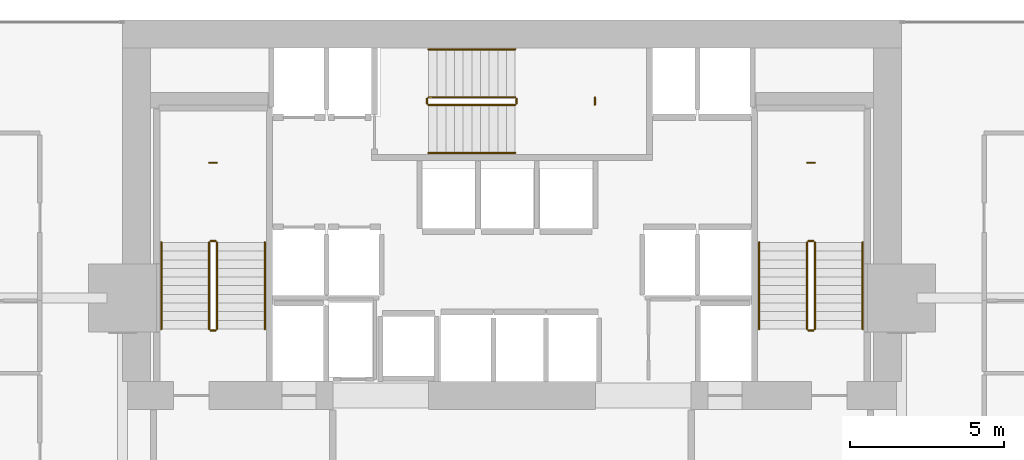
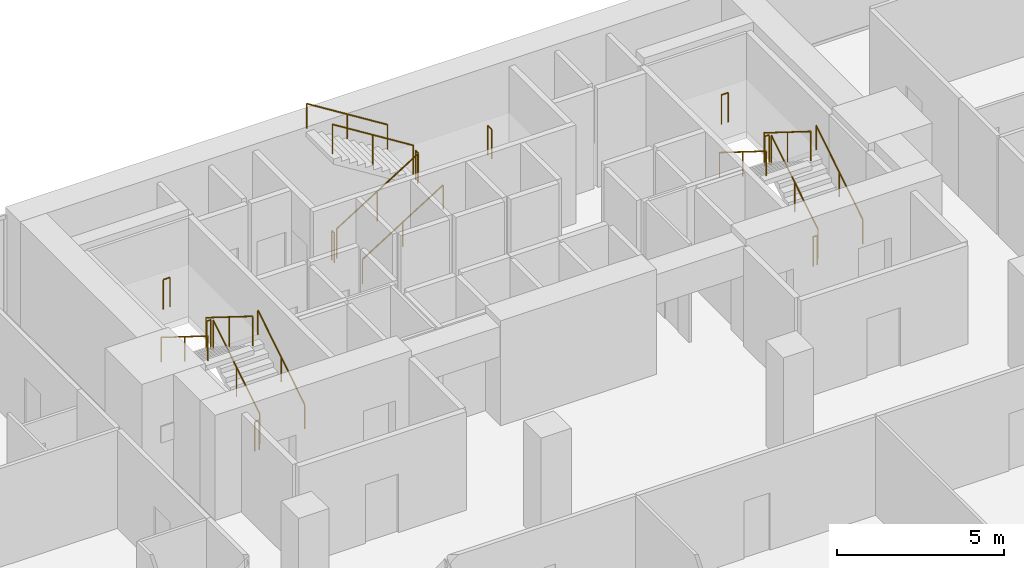
# One storey, part 40 of 40: 21 railings.
"""IFC4 building model written with IfcOpenShell, lengths in metres."""

from ifc_helpers import new_model, si_unit, direction, frame, origin, origin_2d, place, context, subcontext, project, spatial, circle, extrude, material, type_object, element, save


model = new_model("IFC4")

# Units and contexts
model_context = context("Model", 3, precision=1e-05, world=origin(), true_north=direction((0.0, 1.0)))
body_context = subcontext(model_context, "Body", "Model", "MODEL_VIEW")
ifc_project = project(units=[si_unit("LENGTHUNIT", "METRE"), si_unit("AREAUNIT", "SQUARE_METRE"), si_unit("VOLUMEUNIT", "CUBIC_METRE"), si_unit("PLANEANGLEUNIT", "RADIAN"), si_unit("MASSUNIT", "GRAM", prefix="KILO")], contexts=[model_context])

# Site, building, storey
site_placement = place(None, origin())
site = spatial("IfcSite", under=ifc_project, at=site_placement, CompositionType="ELEMENT")
building_placement = place(site_placement, origin())
building = spatial("IfcBuilding", under=site, at=building_placement, Name="Maruvema Waterfront Hotel and Observation Tower", CompositionType="ELEMENT")
storey_placement = place(building_placement, frame((0.0, 0.0, 92.39990234375)))
storey = spatial("IfcBuildingStorey", under=building, at=storey_placement, Name="L22", CompositionType="ELEMENT", Elevation=92.39990234375)

# Railings
ifc_material_1 = material(Name="Brushed stainless steel Grade 316", Category="steel")
railing_type_1 = type_object("IfcRailingType", Name="Ramp Continuous Wall Handrail 920 mm", PredefinedType="HANDRAIL", material=ifc_material_1)
railing_1_placement = place(storey_placement, frame((29.800048828125, 44.0, 0.175048828125)))
element("IfcRailing", 1, at=railing_1_placement, inside=storey, type_object=railing_type_1, Name="L22 ST-01 stair handrail 1", PredefinedType="HANDRAIL", context=body_context, shape_type="SweptSolid", body=[
    extrude(circle(Radius=0.02392578125, at=origin_2d()), frame((0.0, 0.0, 0.89599609375), z_axis=(0.0, 0.848002457836, 0.529992293815), x_axis=(-1.0, 0.0, 0.0)), (0.0, 0.0, 1.0), 3.302001953125),
    extrude(circle(Radius=0.02099609375, at=origin_2d()), origin(), (0.0, 0.0, 1.0), 0.871826171875),
    extrude(circle(Radius=0.02099609375, at=origin_2d()), frame((0.0, 1.39990234375, 0.875)), (0.0, 0.0, 1.0), 0.871826171875),
    extrude(circle(Radius=0.02099609375, at=origin_2d()), frame((0.0, 2.800048828125, 1.75)), (0.0, 0.0, 1.0), 0.871826171875),
])
railing_2_placement = place(storey_placement, frame((26.449951171875, 46.800048828125, 2.10009765625)))
element("IfcRailing", 2, at=railing_2_placement, inside=storey, type_object=railing_type_1, Name="L22 ST-01 stair handrail 2", PredefinedType="HANDRAIL", context=body_context, shape_type="SweptSolid", body=[
    extrude(circle(Radius=0.02392578125, at=origin_2d()), frame((0.0, 0.0, 0.89599609375), z_axis=(0.0, -0.848002457836, 0.529992293815), x_axis=(1.0, 0.0, 0.0)), (0.0, 0.0, 1.0), 3.302001953125),
    extrude(circle(Radius=0.02099609375, at=origin_2d()), origin(), (0.0, 0.0, 1.0), 0.871826171875),
    extrude(circle(Radius=0.02099609375, at=origin_2d()), frame((0.0, -1.39990234375, 0.875)), (0.0, 0.0, 1.0), 0.871826171875),
    extrude(circle(Radius=0.02099609375, at=origin_2d()), frame((0.0, -2.800048828125, 1.75)), (0.0, 0.0, 1.0), 0.871826171875),
])
railing_3_placement = place(storey_placement, frame((35.10009765625, 49.699951171875, 0.175048828125)))
element("IfcRailing", 3, at=railing_3_placement, inside=storey, type_object=railing_type_1, Name="L22 ST-02 stair handrail 1", PredefinedType="HANDRAIL", context=body_context, shape_type="SweptSolid", body=[
    extrude(circle(Radius=0.02392578125, at=origin_2d()), frame((0.0, 0.0, 0.89599609375), z_axis=(0.847981687118, 0.0, 0.530025526095), x_axis=(0.0, 1.0, 0.0)), (0.0, 0.0, 1.0), 3.3017578125),
    extrude(circle(Radius=0.02099609375, at=origin_2d()), origin(), (0.0, 0.0, 1.0), 0.871826171875),
    extrude(circle(Radius=0.02099609375, at=origin_2d()), frame((1.39990234375, 0.0, 0.875)), (0.0, 0.0, 1.0), 0.871826171875),
    extrude(circle(Radius=0.02099609375, at=origin_2d()), frame((2.7998046875, 0.0, 1.75)), (0.0, 0.0, 1.0), 0.871826171875),
])
railing_4_placement = place(storey_placement, frame((37.89990234375, 53.050048828125, 2.10009765625)))
element("IfcRailing", 4, at=railing_4_placement, inside=storey, type_object=railing_type_1, Name="L22 ST-02 stair handrail 2", PredefinedType="HANDRAIL", context=body_context, shape_type="SweptSolid", body=[
    extrude(circle(Radius=0.02392578125, at=origin_2d()), frame((0.0, 0.0, 0.89599609375), z_axis=(-0.847981687118, 0.0, 0.530025526095), x_axis=(0.0, -1.0, 0.0)), (0.0, 0.0, 1.0), 3.3017578125),
    extrude(circle(Radius=0.02099609375, at=origin_2d()), origin(), (0.0, 0.0, 1.0), 0.871826171875),
    extrude(circle(Radius=0.02099609375, at=origin_2d()), frame((-1.39990234375, 0.0, 0.875)), (0.0, 0.0, 1.0), 0.871826171875),
    extrude(circle(Radius=0.02099609375, at=origin_2d()), frame((-2.7998046875, 0.0, 1.75)), (0.0, 0.0, 1.0), 0.871826171875),
])
railing_5_placement = place(storey_placement, frame((49.14990234375, 44.0, 0.175048828125)))
element("IfcRailing", 5, at=railing_5_placement, inside=storey, type_object=railing_type_1, Name="L22 ST-03 stair handrail 1", PredefinedType="HANDRAIL", context=body_context, shape_type="SweptSolid", body=[
    extrude(circle(Radius=0.02392578125, at=origin_2d()), frame((0.0, 0.0, 0.89599609375), z_axis=(0.0, 0.848002457836, 0.529992293815), x_axis=(-1.0, 0.0, 0.0)), (0.0, 0.0, 1.0), 3.302001953125),
    extrude(circle(Radius=0.02099609375, at=origin_2d()), origin(), (0.0, 0.0, 1.0), 0.871826171875),
    extrude(circle(Radius=0.02099609375, at=origin_2d()), frame((0.0, 1.39990234375, 0.875)), (0.0, 0.0, 1.0), 0.871826171875),
    extrude(circle(Radius=0.02099609375, at=origin_2d()), frame((0.0, 2.800048828125, 1.75)), (0.0, 0.0, 1.0), 0.871826171875),
])
railing_6_placement = place(storey_placement, frame((45.800048828125, 46.800048828125, 2.10009765625)))
element("IfcRailing", 6, at=railing_6_placement, inside=storey, type_object=railing_type_1, Name="L22 ST-03 stair handrail 2", PredefinedType="HANDRAIL", context=body_context, shape_type="SweptSolid", body=[
    extrude(circle(Radius=0.02392578125, at=origin_2d()), frame((0.0, 0.0, 0.89599609375), z_axis=(0.0, -0.848002457836, 0.529992293815), x_axis=(1.0, 0.0, 0.0)), (0.0, 0.0, 1.0), 3.302001953125),
    extrude(circle(Radius=0.02099609375, at=origin_2d()), origin(), (0.0, 0.0, 1.0), 0.871826171875),
    extrude(circle(Radius=0.02099609375, at=origin_2d()), frame((0.0, -1.39990234375, 0.875)), (0.0, 0.0, 1.0), 0.871826171875),
    extrude(circle(Radius=0.02099609375, at=origin_2d()), frame((0.0, -2.800048828125, 1.75)), (0.0, 0.0, 1.0), 0.871826171875),
])
ifc_material_2 = material(Name="Brushed stainless steel Grade 316", Category="steel")
railing_type_2 = type_object("IfcRailingType", Name="Ramp and Terrace Guard Balustrade 1100 mm", PredefinedType="BALUSTRADE", material=ifc_material_2)
railing_7_placement = place(storey_placement, frame((28.25, 44.0, 0.175048828125)))
element("IfcRailing", 7, at=railing_7_placement, inside=storey, type_object=railing_type_2, Name="L22 ST-01 stair guard 1", PredefinedType="BALUSTRADE", context=body_context, shape_type="SweptSolid", body=[
    extrude(circle(Radius=0.02392578125, at=origin_2d()), frame((0.0, 0.0, 1.076171875), z_axis=(0.0, 0.848002457836, 0.529992293815), x_axis=(-1.0, 0.0, 0.0)), (0.0, 0.0, 1.0), 3.302001953125),
    extrude(circle(Radius=0.02099609375, at=origin_2d()), origin(), (0.0, 0.0, 1.0), 1.052001953125),
    extrude(circle(Radius=0.02099609375, at=origin_2d()), frame((0.0, 1.39990234375, 0.875)), (0.0, 0.0, 1.0), 1.052001953125),
    extrude(circle(Radius=0.02099609375, at=origin_2d()), frame((0.0, 2.800048828125, 1.75)), (0.0, 0.0, 1.0), 1.052001953125),
])
railing_8_placement = place(storey_placement, frame((28.199951171875, 46.85009765625, 1.925048828125)))
element("IfcRailing", 8, at=railing_8_placement, inside=storey, type_object=railing_type_2, Name="L22 ST-01 stair guard 2", PredefinedType="BALUSTRADE", context=body_context, shape_type="SweptSolid", body=[
    extrude(circle(Radius=0.02392578125, at=origin_2d()), frame((0.0, 0.0, 1.076171875), z_axis=(-1.0, 0.0, 0.0), x_axis=(0.0, -1.0, 0.0)), (0.0, 0.0, 1.0), 0.14990234375),
    extrude(circle(Radius=0.02099609375, at=origin_2d()), origin(), (0.0, 0.0, 1.0), 1.052001953125),
    extrude(circle(Radius=0.02099609375, at=origin_2d()), frame((-0.14990234375, 0.0, 0.0)), (0.0, 0.0, 1.0), 1.052001953125),
])
railing_9_placement = place(storey_placement, frame((28.0, 46.800048828125, 2.10009765625)))
element("IfcRailing", 9, at=railing_9_placement, inside=storey, type_object=railing_type_2, Name="L22 ST-01 stair guard 3", PredefinedType="BALUSTRADE", context=body_context, shape_type="SweptSolid", body=[
    extrude(circle(Radius=0.02392578125, at=origin_2d()), frame((0.0, 0.0, 1.076171875), z_axis=(0.0, -0.848002457836, 0.529992293815), x_axis=(1.0, 0.0, 0.0)), (0.0, 0.0, 1.0), 3.302001953125),
    extrude(circle(Radius=0.02099609375, at=origin_2d()), origin(), (0.0, 0.0, 1.0), 1.052001953125),
    extrude(circle(Radius=0.02099609375, at=origin_2d()), frame((0.0, -1.39990234375, 0.875)), (0.0, 0.0, 1.0), 1.052001953125),
    extrude(circle(Radius=0.02099609375, at=origin_2d()), frame((0.0, -2.800048828125, 1.75)), (0.0, 0.0, 1.0), 1.052001953125),
])
railing_10_placement = place(storey_placement, frame((28.199951171875, 43.949951171875, 0.0)))
element("IfcRailing", 10, at=railing_10_placement, inside=storey, type_object=railing_type_2, Name="L22 ST-01 stair guard 4", PredefinedType="BALUSTRADE", context=body_context, shape_type="SweptSolid", body=[
    extrude(circle(Radius=0.02392578125, at=origin_2d()), frame((0.0, 0.0, 1.076171875), z_axis=(-1.0, 0.0, 0.0), x_axis=(0.0, -1.0, 0.0)), (0.0, 0.0, 1.0), 0.14990234375),
    extrude(circle(Radius=0.02099609375, at=origin_2d()), origin(), (0.0, 0.0, 1.0), 1.052001953125),
    extrude(circle(Radius=0.02099609375, at=origin_2d()), frame((-0.14990234375, 0.0, 0.0)), (0.0, 0.0, 1.0), 1.052001953125),
])
railing_11_placement = place(storey_placement, frame((28.239990234375, 49.3798828125, 1.925048828125)))
element("IfcRailing", 11, at=railing_11_placement, inside=storey, type_object=railing_type_2, Name="L22 ST-01 Half-Landing Slot Guard", PredefinedType="BALUSTRADE", context=body_context, shape_type="SweptSolid", body=[
    extrude(circle(Radius=0.02392578125, at=origin_2d()), frame((0.0, 0.0, 1.076171875), z_axis=(-1.0, 0.0, 0.0), x_axis=(0.0, -1.0, 0.0)), (0.0, 0.0, 1.0), 0.22998046875),
    extrude(circle(Radius=0.02099609375, at=origin_2d()), origin(), (0.0, 0.0, 1.0), 1.052001953125),
    extrude(circle(Radius=0.02099609375, at=origin_2d()), frame((-0.22998046875, 0.0, 0.0)), (0.0, 0.0, 1.0), 1.052001953125),
])
railing_12_placement = place(storey_placement, frame((35.10009765625, 51.25, 0.175048828125)))
element("IfcRailing", 12, at=railing_12_placement, inside=storey, type_object=railing_type_2, Name="L22 ST-02 stair guard 1", PredefinedType="BALUSTRADE", context=body_context, shape_type="SweptSolid", body=[
    extrude(circle(Radius=0.02392578125, at=origin_2d()), frame((0.0, 0.0, 1.076171875), z_axis=(0.847981687118, 0.0, 0.530025526095), x_axis=(0.0, 1.0, 0.0)), (0.0, 0.0, 1.0), 3.3017578125),
    extrude(circle(Radius=0.02099609375, at=origin_2d()), origin(), (0.0, 0.0, 1.0), 1.052001953125),
    extrude(circle(Radius=0.02099609375, at=origin_2d()), frame((1.39990234375, 0.0, 0.875)), (0.0, 0.0, 1.0), 1.052001953125),
    extrude(circle(Radius=0.02099609375, at=origin_2d()), frame((2.7998046875, 0.0, 1.75)), (0.0, 0.0, 1.0), 1.052001953125),
])
railing_13_placement = place(storey_placement, frame((37.949951171875, 51.300048828125, 1.925048828125)))
element("IfcRailing", 13, at=railing_13_placement, inside=storey, type_object=railing_type_2, Name="L22 ST-02 stair guard 2", PredefinedType="BALUSTRADE", context=body_context, shape_type="SweptSolid", body=[
    extrude(circle(Radius=0.02392578125, at=origin_2d()), frame((0.0, 0.0, 1.076171875), z_axis=(0.0, 1.0, 0.0), x_axis=(-1.0, 0.0, 0.0)), (0.0, 0.0, 1.0), 0.14990234375),
    extrude(circle(Radius=0.02099609375, at=origin_2d()), origin(), (0.0, 0.0, 1.0), 1.052001953125),
    extrude(circle(Radius=0.02099609375, at=origin_2d()), frame((0.0, 0.14990234375, 0.0)), (0.0, 0.0, 1.0), 1.052001953125),
])
railing_14_placement = place(storey_placement, frame((37.89990234375, 51.5, 2.10009765625)))
element("IfcRailing", 14, at=railing_14_placement, inside=storey, type_object=railing_type_2, Name="L22 ST-02 stair guard 3", PredefinedType="BALUSTRADE", context=body_context, shape_type="SweptSolid", body=[
    extrude(circle(Radius=0.02392578125, at=origin_2d()), frame((0.0, 0.0, 1.076171875), z_axis=(-0.847981687118, 0.0, 0.530025526095), x_axis=(0.0, -1.0, 0.0)), (0.0, 0.0, 1.0), 3.3017578125),
    extrude(circle(Radius=0.02099609375, at=origin_2d()), origin(), (0.0, 0.0, 1.0), 1.052001953125),
    extrude(circle(Radius=0.02099609375, at=origin_2d()), frame((-1.39990234375, 0.0, 0.875)), (0.0, 0.0, 1.0), 1.052001953125),
    extrude(circle(Radius=0.02099609375, at=origin_2d()), frame((-2.7998046875, 0.0, 1.75)), (0.0, 0.0, 1.0), 1.052001953125),
])
railing_15_placement = place(storey_placement, frame((35.050048828125, 51.300048828125, 0.0)))
element("IfcRailing", 15, at=railing_15_placement, inside=storey, type_object=railing_type_2, Name="L22 ST-02 stair guard 4", PredefinedType="BALUSTRADE", context=body_context, shape_type="SweptSolid", body=[
    extrude(circle(Radius=0.02392578125, at=origin_2d()), frame((0.0, 0.0, 1.076171875), z_axis=(0.0, 1.0, 0.0), x_axis=(-1.0, 0.0, 0.0)), (0.0, 0.0, 1.0), 0.14990234375),
    extrude(circle(Radius=0.02099609375, at=origin_2d()), origin(), (0.0, 0.0, 1.0), 1.052001953125),
    extrude(circle(Radius=0.02099609375, at=origin_2d()), frame((0.0, 0.14990234375, 0.0)), (0.0, 0.0, 1.0), 1.052001953125),
])
railing_16_placement = place(storey_placement, frame((40.47998046875, 51.260009765625, 1.925048828125)))
element("IfcRailing", 16, at=railing_16_placement, inside=storey, type_object=railing_type_2, Name="L22 ST-02 Half-Landing Slot Guard", PredefinedType="BALUSTRADE", context=body_context, shape_type="SweptSolid", body=[
    extrude(circle(Radius=0.02392578125, at=origin_2d()), frame((0.0, 0.0, 1.076171875), z_axis=(0.0, 1.0, 0.0), x_axis=(-1.0, 0.0, 0.0)), (0.0, 0.0, 1.0), 0.22998046875),
    extrude(circle(Radius=0.02099609375, at=origin_2d()), origin(), (0.0, 0.0, 1.0), 1.052001953125),
    extrude(circle(Radius=0.02099609375, at=origin_2d()), frame((0.0, 0.22998046875, 0.0)), (0.0, 0.0, 1.0), 1.052001953125),
])
railing_17_placement = place(storey_placement, frame((47.60009765625, 44.0, 0.175048828125)))
element("IfcRailing", 17, at=railing_17_placement, inside=storey, type_object=railing_type_2, Name="L22 ST-03 stair guard 1", PredefinedType="BALUSTRADE", context=body_context, shape_type="SweptSolid", body=[
    extrude(circle(Radius=0.02392578125, at=origin_2d()), frame((0.0, 0.0, 1.076171875), z_axis=(0.0, 0.848002457836, 0.529992293815), x_axis=(-1.0, 0.0, 0.0)), (0.0, 0.0, 1.0), 3.302001953125),
    extrude(circle(Radius=0.02099609375, at=origin_2d()), origin(), (0.0, 0.0, 1.0), 1.052001953125),
    extrude(circle(Radius=0.02099609375, at=origin_2d()), frame((0.0, 1.39990234375, 0.875)), (0.0, 0.0, 1.0), 1.052001953125),
    extrude(circle(Radius=0.02099609375, at=origin_2d()), frame((0.0, 2.800048828125, 1.75)), (0.0, 0.0, 1.0), 1.052001953125),
])
railing_18_placement = place(storey_placement, frame((47.550048828125, 46.85009765625, 1.925048828125)))
element("IfcRailing", 18, at=railing_18_placement, inside=storey, type_object=railing_type_2, Name="L22 ST-03 stair guard 2", PredefinedType="BALUSTRADE", context=body_context, shape_type="SweptSolid", body=[
    extrude(circle(Radius=0.02392578125, at=origin_2d()), frame((0.0, 0.0, 1.076171875), z_axis=(-1.0, 0.0, 0.0), x_axis=(0.0, -1.0, 0.0)), (0.0, 0.0, 1.0), 0.150146484375),
    extrude(circle(Radius=0.02099609375, at=origin_2d()), origin(), (0.0, 0.0, 1.0), 1.052001953125),
    extrude(circle(Radius=0.02099609375, at=origin_2d()), frame((-0.150146484375, 0.0, 0.0)), (0.0, 0.0, 1.0), 1.052001953125),
])
railing_19_placement = place(storey_placement, frame((47.35009765625, 46.800048828125, 2.10009765625)))
element("IfcRailing", 19, at=railing_19_placement, inside=storey, type_object=railing_type_2, Name="L22 ST-03 stair guard 3", PredefinedType="BALUSTRADE", context=body_context, shape_type="SweptSolid", body=[
    extrude(circle(Radius=0.02392578125, at=origin_2d()), frame((0.0, 0.0, 1.076171875), z_axis=(0.0, -0.848002457836, 0.529992293815), x_axis=(1.0, 0.0, 0.0)), (0.0, 0.0, 1.0), 3.302001953125),
    extrude(circle(Radius=0.02099609375, at=origin_2d()), origin(), (0.0, 0.0, 1.0), 1.052001953125),
    extrude(circle(Radius=0.02099609375, at=origin_2d()), frame((0.0, -1.39990234375, 0.875)), (0.0, 0.0, 1.0), 1.052001953125),
    extrude(circle(Radius=0.02099609375, at=origin_2d()), frame((0.0, -2.800048828125, 1.75)), (0.0, 0.0, 1.0), 1.052001953125),
])
railing_20_placement = place(storey_placement, frame((47.550048828125, 43.949951171875, 0.0)))
element("IfcRailing", 20, at=railing_20_placement, inside=storey, type_object=railing_type_2, Name="L22 ST-03 stair guard 4", PredefinedType="BALUSTRADE", context=body_context, shape_type="SweptSolid", body=[
    extrude(circle(Radius=0.02392578125, at=origin_2d()), frame((0.0, 0.0, 1.076171875), z_axis=(-1.0, 0.0, 0.0), x_axis=(0.0, -1.0, 0.0)), (0.0, 0.0, 1.0), 0.150146484375),
    extrude(circle(Radius=0.02099609375, at=origin_2d()), origin(), (0.0, 0.0, 1.0), 1.052001953125),
    extrude(circle(Radius=0.02099609375, at=origin_2d()), frame((-0.150146484375, 0.0, 0.0)), (0.0, 0.0, 1.0), 1.052001953125),
])
railing_21_placement = place(storey_placement, frame((47.590087890625, 49.3798828125, 1.925048828125)))
element("IfcRailing", 21, at=railing_21_placement, inside=storey, type_object=railing_type_2, Name="L22 ST-03 Half-Landing Slot Guard", PredefinedType="BALUSTRADE", context=body_context, shape_type="SweptSolid", body=[
    extrude(circle(Radius=0.02392578125, at=origin_2d()), frame((0.0, 0.0, 1.076171875), z_axis=(-1.0, 0.0, 0.0), x_axis=(0.0, -1.0, 0.0)), (0.0, 0.0, 1.0), 0.22998046875),
    extrude(circle(Radius=0.02099609375, at=origin_2d()), origin(), (0.0, 0.0, 1.0), 1.052001953125),
    extrude(circle(Radius=0.02099609375, at=origin_2d()), frame((-0.22998046875, 0.0, 0.0)), (0.0, 0.0, 1.0), 1.052001953125),
])

save(model, "model.ifc")
